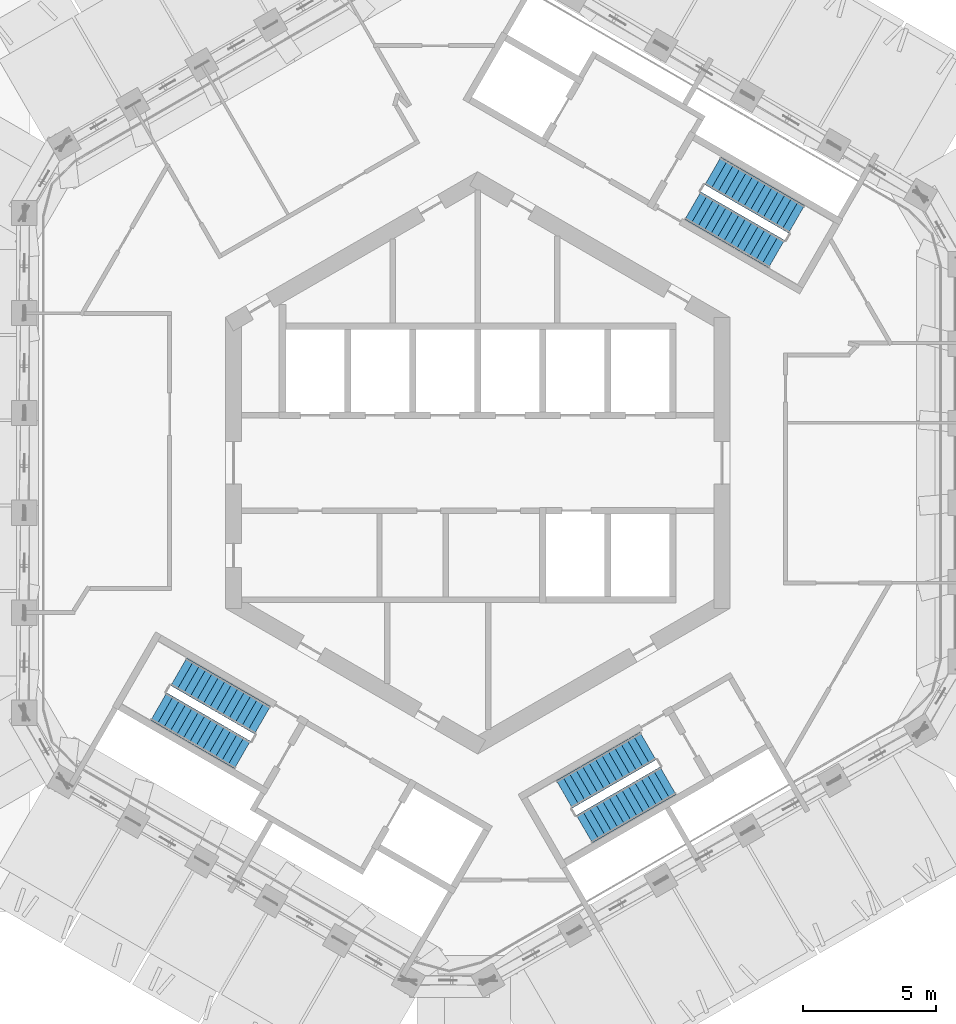
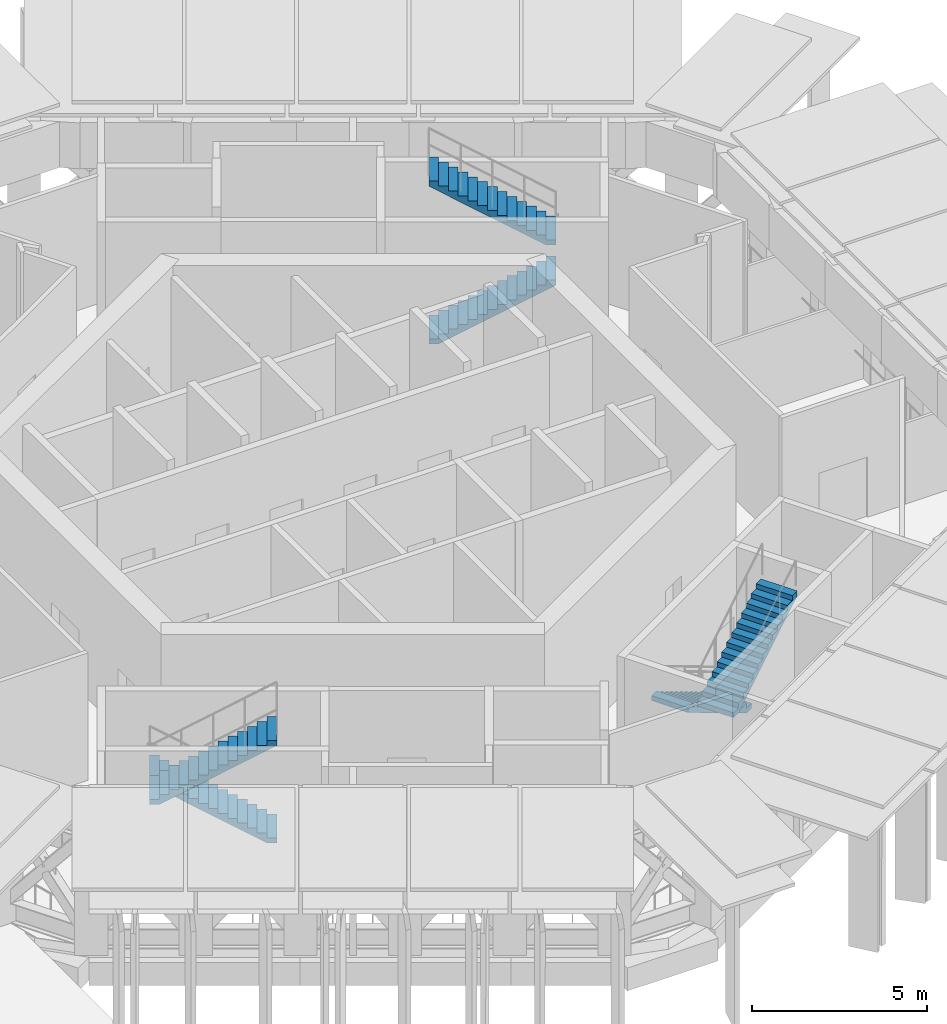
# One storey, part 12 of 15: 6 stair flights, 3 elements without a shape of their own.
"""IFC4 building model written with IfcOpenShell, lengths in metres."""

from ifc_helpers import new_model, si_unit, direction, frame, origin, place, context, subcontext, project, spatial, triangles, material, type_object, element, aggregate, save


model = new_model("IFC4")

# Units and contexts
model_context = context("Model", 3, precision=1e-05, world=origin(), true_north=direction((0.0, 1.0)))
body_context = subcontext(model_context, "Body", "Model", "MODEL_VIEW")
ifc_project = project(units=[si_unit("LENGTHUNIT", "METRE"), si_unit("AREAUNIT", "SQUARE_METRE"), si_unit("VOLUMEUNIT", "CUBIC_METRE"), si_unit("PLANEANGLEUNIT", "RADIAN"), si_unit("MASSUNIT", "GRAM", prefix="KILO")], contexts=[model_context])

# Site, building, storey
site_placement = place(None, origin())
site = spatial("IfcSite", under=ifc_project, at=site_placement, CompositionType="ELEMENT")
building_placement = place(site_placement, origin())
building = spatial("IfcBuilding", under=site, at=building_placement, Name="Ayvan Gate Tower", CompositionType="ELEMENT")
storey_placement = place(building_placement, frame((0.0, 0.0, 214.10009765625)))
storey = spatial("IfcBuildingStorey", under=building, at=storey_placement, Name="L57", CompositionType="ELEMENT", Elevation=214.10009765625)

# Stair, stair flights
ifc_material = material(Name="Concrete C40/50", Category="concrete")
stair_type = type_object("IfcStairType", Name="ST-EXIT", PredefinedType="HALF_TURN_STAIR", material=ifc_material)
stair_1_placement = place(storey_placement, origin())
stair_1 = element("IfcStair", 1, at=stair_1_placement, inside=storey, type_object=stair_type, Name="L57 Exit Stair S1", PredefinedType="HALF_TURN_STAIR")
stair_flight_type = type_object("IfcStairFlightType", Name="SFL-EXIT", PredefinedType="STRAIGHT", material=ifc_material)
stair_flight_1_placement = place(storey_placement, frame((8.106201171875, 9.690185546875, 0.0), z_axis=(0.0, 0.0, 1.0), x_axis=(0.866025403784, -0.5, 0.0)))
stair_flight_1 = element("IfcStairFlight", 2, at=stair_flight_1_placement, type_object=stair_flight_type, Name="STS1 flight 1", NumberOfRisers=14, NumberOfTreads=13, PredefinedType="STRAIGHT", RiserHeight=0.171428571, TreadLength=0.28, context=body_context, shape_type="Tessellation", body=[
    triangles([(0.287085, -0.599976, 0.0), (3.6405, -0.599976, 2.053111), (3.6405, -0.599976, 2.228571), (3.36, -0.599976, 2.228571), (3.36, -0.599976, 2.057143), (3.08, -0.599976, 2.057143), (3.08, -0.599976, 1.885714), (2.8, -0.599976, 1.885714), (2.8, -0.599976, 1.714286), (2.52, -0.599976, 1.714286), (2.52, -0.599976, 1.542857), (2.24, -0.599976, 1.542857), (2.24, -0.599976, 1.371429), (1.96, -0.599976, 1.371429), (1.96, -0.599976, 1.2), (1.68, -0.599976, 1.2), (1.68, -0.599976, 1.028571), (1.4, -0.599976, 1.028571), (1.4, -0.599976, 0.857143), (1.12, -0.599976, 0.857143), (1.12, -0.599976, 0.685714), (0.84, -0.599976, 0.685714), (0.84, -0.599976, 0.514286), (0.56, -0.599976, 0.514286), (0.56, -0.599976, 0.342857), (0.28, -0.599976, 0.342857), (0.28, -0.599976, 0.171429), (-0.0005, -0.599976, 0.171429), (-0.0005, -0.599976, 0.0), (0.287085, 0.0, 0.0), (3.6405, 0.0, 2.053111), (3.6405, 0.0, 2.228571), (3.36, 0.0, 2.228571), (3.36, 0.0, 2.057143), (3.08, 0.0, 2.057143), (3.08, 0.0, 1.885714), (2.8, 0.0, 1.885714), (2.8, 0.0, 1.714286), (2.52, 0.0, 1.714286), (2.52, 0.0, 1.542857), (2.24, 0.0, 1.542857), (2.24, 0.0, 1.371429), (1.96, 0.0, 1.371429), (1.96, 0.0, 1.2), (1.68, 0.0, 1.2), (1.68, 0.0, 1.028571), (1.4, 0.0, 1.028571), (1.4, 0.0, 0.857143), (1.12, 0.0, 0.857143), (1.12, 0.0, 0.685714), (0.84, 0.0, 0.685714), (0.84, 0.0, 0.514286), (0.56, 0.0, 0.514286), (0.56, 0.0, 0.342857), (0.28, 0.0, 0.342857), (0.28, 0.0, 0.171429), (-0.0005, 0.0, 0.171429), (-0.0005, 0.0, 0.0), (0.287085, 0.599976, 0.0), (3.6405, 0.599976, 2.053111), (3.6405, 0.599976, 2.228571), (3.36, 0.599976, 2.228571), (3.36, 0.599976, 2.057143), (3.08, 0.599976, 2.057143), (3.08, 0.599976, 1.885714), (2.8, 0.599976, 1.885714), (2.8, 0.599976, 1.714286), (2.52, 0.599976, 1.714286), (2.52, 0.599976, 1.542857), (2.24, 0.599976, 1.542857), (2.24, 0.599976, 1.371429), (1.96, 0.599976, 1.371429), (1.96, 0.599976, 1.2), (1.68, 0.599976, 1.2), (1.68, 0.599976, 1.028571), (1.4, 0.599976, 1.028571), (1.4, 0.599976, 0.857143), (1.12, 0.599976, 0.857143), (1.12, 0.599976, 0.685714), (0.84, 0.599976, 0.685714), (0.84, 0.599976, 0.514286), (0.56, 0.599976, 0.514286), (0.56, 0.599976, 0.342857), (0.28, 0.599976, 0.342857), (0.28, 0.599976, 0.171429), (-0.0005, 0.599976, 0.171429), (-0.0005, 0.599976, 0.0)], [[29, 1, 2], [87, 60, 59], [2, 3, 4], [60, 62, 61], [2, 4, 5], [60, 63, 62], [2, 5, 6], [60, 64, 63], [2, 6, 7], [60, 65, 64], [7, 8, 9], [65, 67, 66], [2, 7, 9], [60, 67, 65], [9, 10, 11], [67, 69, 68], [2, 9, 11], [60, 69, 67], [11, 12, 13], [69, 71, 70], [2, 11, 13], [60, 71, 69], [13, 14, 15], [71, 73, 72], [2, 13, 15], [60, 73, 71], [15, 16, 17], [73, 75, 74], [2, 15, 17], [60, 75, 73], [17, 18, 19], [75, 77, 76], [2, 17, 19], [60, 77, 75], [19, 20, 21], [77, 79, 78], [2, 19, 21], [60, 79, 77], [21, 22, 23], [79, 81, 80], [2, 21, 23], [60, 81, 79], [23, 24, 25], [81, 83, 82], [2, 23, 25], [60, 83, 81], [25, 26, 27], [83, 85, 84], [2, 25, 27], [60, 85, 83], [29, 2, 27], [87, 85, 60], [27, 28, 29], [85, 87, 86], [1, 30, 31], [1, 31, 2], [59, 31, 30], [59, 60, 31], [2, 31, 32], [2, 32, 3], [60, 32, 31], [60, 61, 32], [3, 32, 33], [3, 33, 4], [61, 33, 32], [61, 62, 33], [4, 33, 34], [4, 34, 5], [62, 34, 33], [62, 63, 34], [5, 34, 35], [5, 35, 6], [63, 35, 34], [63, 64, 35], [6, 35, 36], [6, 36, 7], [64, 36, 35], [64, 65, 36], [7, 36, 37], [7, 37, 8], [65, 37, 36], [65, 66, 37], [8, 37, 38], [8, 38, 9], [66, 38, 37], [66, 67, 38], [9, 38, 39], [9, 39, 10], [67, 39, 38], [67, 68, 39], [10, 39, 40], [10, 40, 11], [68, 40, 39], [68, 69, 40], [11, 40, 41], [11, 41, 12], [69, 41, 40], [69, 70, 41], [12, 41, 42], [12, 42, 13], [70, 42, 41], [70, 71, 42], [13, 42, 43], [13, 43, 14], [71, 43, 42], [71, 72, 43], [14, 43, 44], [14, 44, 15], [72, 44, 43], [72, 73, 44], [15, 44, 45], [15, 45, 16], [73, 45, 44], [73, 74, 45], [16, 45, 46], [16, 46, 17], [74, 46, 45], [74, 75, 46], [17, 46, 47], [17, 47, 18], [75, 47, 46], [75, 76, 47], [18, 47, 48], [18, 48, 19], [76, 48, 47], [76, 77, 48], [19, 48, 49], [19, 49, 20], [77, 49, 48], [77, 78, 49], [20, 49, 50], [20, 50, 21], [78, 50, 49], [78, 79, 50], [21, 50, 51], [21, 51, 22], [79, 51, 50], [79, 80, 51], [22, 51, 52], [22, 52, 23], [80, 52, 51], [80, 81, 52], [23, 52, 53], [23, 53, 24], [81, 53, 52], [81, 82, 53], [24, 53, 54], [24, 54, 25], [82, 54, 53], [82, 83, 54], [25, 54, 55], [25, 55, 26], [83, 55, 54], [83, 84, 55], [26, 55, 56], [26, 56, 27], [84, 56, 55], [84, 85, 56], [27, 56, 57], [27, 57, 28], [85, 57, 56], [85, 86, 57], [28, 57, 58], [28, 58, 29], [86, 58, 57], [86, 87, 58], [29, 58, 30], [29, 30, 1], [87, 30, 58], [87, 59, 30]], closed=True),
])
stair_flight_2_placement = place(storey_placement, frame((12.013427734375, 9.177978515625, 2.39990234375), z_axis=(0.0, 0.0, 1.0), x_axis=(-0.866025403784, 0.5, 0.0)))
stair_flight_2 = element("IfcStairFlight", 3, at=stair_flight_2_placement, type_object=stair_flight_type, Name="STS1 flight 2", NumberOfRisers=14, NumberOfTreads=13, PredefinedType="STRAIGHT", RiserHeight=0.171428571, TreadLength=0.28, context=body_context, shape_type="Tessellation", body=[
    triangles([(0.287085, -0.599976, 0.0), (3.6405, -0.599976, 2.053111), (3.6405, -0.599976, 2.228571), (3.36, -0.599976, 2.228571), (3.36, -0.599976, 2.057143), (3.08, -0.599976, 2.057143), (3.08, -0.599976, 1.885714), (2.8, -0.599976, 1.885714), (2.8, -0.599976, 1.714286), (2.52, -0.599976, 1.714286), (2.52, -0.599976, 1.542857), (2.24, -0.599976, 1.542857), (2.24, -0.599976, 1.371429), (1.96, -0.599976, 1.371429), (1.96, -0.599976, 1.2), (1.68, -0.599976, 1.2), (1.68, -0.599976, 1.028571), (1.4, -0.599976, 1.028571), (1.4, -0.599976, 0.857143), (1.12, -0.599976, 0.857143), (1.12, -0.599976, 0.685714), (0.84, -0.599976, 0.685714), (0.84, -0.599976, 0.514286), (0.56, -0.599976, 0.514286), (0.56, -0.599976, 0.342857), (0.28, -0.599976, 0.342857), (0.28, -0.599976, 0.171429), (-0.0005, -0.599976, 0.171429), (-0.0005, -0.599976, 0.0), (0.287085, 0.0, 0.0), (3.6405, 0.0, 2.053111), (3.6405, 0.0, 2.228571), (3.36, 0.0, 2.228571), (3.36, 0.0, 2.057143), (3.08, 0.0, 2.057143), (3.08, 0.0, 1.885714), (2.8, 0.0, 1.885714), (2.8, 0.0, 1.714286), (2.52, 0.0, 1.714286), (2.52, 0.0, 1.542857), (2.24, 0.0, 1.542857), (2.24, 0.0, 1.371429), (1.96, 0.0, 1.371429), (1.96, 0.0, 1.2), (1.68, 0.0, 1.2), (1.68, 0.0, 1.028571), (1.4, 0.0, 1.028571), (1.4, 0.0, 0.857143), (1.12, 0.0, 0.857143), (1.12, 0.0, 0.685714), (0.84, 0.0, 0.685714), (0.84, 0.0, 0.514286), (0.56, 0.0, 0.514286), (0.56, 0.0, 0.342857), (0.28, 0.0, 0.342857), (0.28, 0.0, 0.171429), (-0.0005, 0.0, 0.171429), (-0.0005, 0.0, 0.0), (0.287085, 0.599976, 0.0), (3.6405, 0.599976, 2.053111), (3.6405, 0.599976, 2.228571), (3.36, 0.599976, 2.228571), (3.36, 0.599976, 2.057143), (3.08, 0.599976, 2.057143), (3.08, 0.599976, 1.885714), (2.8, 0.599976, 1.885714), (2.8, 0.599976, 1.714286), (2.52, 0.599976, 1.714286), (2.52, 0.599976, 1.542857), (2.24, 0.599976, 1.542857), (2.24, 0.599976, 1.371429), (1.96, 0.599976, 1.371429), (1.96, 0.599976, 1.2), (1.68, 0.599976, 1.2), (1.68, 0.599976, 1.028571), (1.4, 0.599976, 1.028571), (1.4, 0.599976, 0.857143), (1.12, 0.599976, 0.857143), (1.12, 0.599976, 0.685714), (0.84, 0.599976, 0.685714), (0.84, 0.599976, 0.514286), (0.56, 0.599976, 0.514286), (0.56, 0.599976, 0.342857), (0.28, 0.599976, 0.342857), (0.28, 0.599976, 0.171429), (-0.0005, 0.599976, 0.171429), (-0.0005, 0.599976, 0.0)], [[29, 1, 2], [87, 60, 59], [2, 3, 4], [60, 62, 61], [2, 4, 5], [60, 63, 62], [2, 5, 6], [60, 64, 63], [2, 6, 7], [60, 65, 64], [7, 8, 9], [65, 67, 66], [2, 7, 9], [60, 67, 65], [9, 10, 11], [67, 69, 68], [2, 9, 11], [60, 69, 67], [11, 12, 13], [69, 71, 70], [2, 11, 13], [60, 71, 69], [13, 14, 15], [71, 73, 72], [2, 13, 15], [60, 73, 71], [15, 16, 17], [73, 75, 74], [2, 15, 17], [60, 75, 73], [17, 18, 19], [75, 77, 76], [2, 17, 19], [60, 77, 75], [19, 20, 21], [77, 79, 78], [2, 19, 21], [60, 79, 77], [21, 22, 23], [79, 81, 80], [2, 21, 23], [60, 81, 79], [23, 24, 25], [81, 83, 82], [2, 23, 25], [60, 83, 81], [25, 26, 27], [83, 85, 84], [2, 25, 27], [60, 85, 83], [29, 2, 27], [87, 85, 60], [27, 28, 29], [85, 87, 86], [1, 30, 31], [1, 31, 2], [59, 31, 30], [59, 60, 31], [2, 31, 32], [2, 32, 3], [60, 32, 31], [60, 61, 32], [3, 32, 33], [3, 33, 4], [61, 33, 32], [61, 62, 33], [4, 33, 34], [4, 34, 5], [62, 34, 33], [62, 63, 34], [5, 34, 35], [5, 35, 6], [63, 35, 34], [63, 64, 35], [6, 35, 36], [6, 36, 7], [64, 36, 35], [64, 65, 36], [7, 36, 37], [7, 37, 8], [65, 37, 36], [65, 66, 37], [8, 37, 38], [8, 38, 9], [66, 38, 37], [66, 67, 38], [9, 38, 39], [9, 39, 10], [67, 39, 38], [67, 68, 39], [10, 39, 40], [10, 40, 11], [68, 40, 39], [68, 69, 40], [11, 40, 41], [11, 41, 12], [69, 41, 40], [69, 70, 41], [12, 41, 42], [12, 42, 13], [70, 42, 41], [70, 71, 42], [13, 42, 43], [13, 43, 14], [71, 43, 42], [71, 72, 43], [14, 43, 44], [14, 44, 15], [72, 44, 43], [72, 73, 44], [15, 44, 45], [15, 45, 16], [73, 45, 44], [73, 74, 45], [16, 45, 46], [16, 46, 17], [74, 46, 45], [74, 75, 46], [17, 46, 47], [17, 47, 18], [75, 47, 46], [75, 76, 47], [18, 47, 48], [18, 48, 19], [76, 48, 47], [76, 77, 48], [19, 48, 49], [19, 49, 20], [77, 49, 48], [77, 78, 49], [20, 49, 50], [20, 50, 21], [78, 50, 49], [78, 79, 50], [21, 50, 51], [21, 51, 22], [79, 51, 50], [79, 80, 51], [22, 51, 52], [22, 52, 23], [80, 52, 51], [80, 81, 52], [23, 52, 53], [23, 53, 24], [81, 53, 52], [81, 82, 53], [24, 53, 54], [24, 54, 25], [82, 54, 53], [82, 83, 54], [25, 54, 55], [25, 55, 26], [83, 55, 54], [83, 84, 55], [26, 55, 56], [26, 56, 27], [84, 56, 55], [84, 85, 56], [27, 56, 57], [27, 57, 28], [85, 57, 56], [85, 86, 57], [28, 57, 58], [28, 58, 29], [86, 58, 57], [86, 87, 58], [29, 58, 30], [29, 30, 1], [87, 30, 58], [87, 59, 30]], closed=True),
])
aggregate(stair_1, [stair_flight_1, stair_flight_2])

stair_2_placement = place(storey_placement, origin())
stair_2 = element("IfcStair", 4, at=stair_2_placement, inside=storey, type_object=stair_type, Name="L57 Exit Stair S2", PredefinedType="HALF_TURN_STAIR")
stair_flight_3_placement = place(storey_placement, frame((-8.106201171875, -9.690185546875, 0.0), z_axis=(0.0, 0.0, 1.0), x_axis=(-0.866025403784, 0.5, 0.0)))
stair_flight_3 = element("IfcStairFlight", 5, at=stair_flight_3_placement, type_object=stair_flight_type, Name="STS2 flight 1", NumberOfRisers=14, NumberOfTreads=13, PredefinedType="STRAIGHT", RiserHeight=0.171428571, TreadLength=0.28, context=body_context, shape_type="Tessellation", body=[
    triangles([(0.287085, -0.599976, 0.0), (3.6405, -0.599976, 2.053111), (3.6405, -0.599976, 2.228571), (3.36, -0.599976, 2.228571), (3.36, -0.599976, 2.057143), (3.08, -0.599976, 2.057143), (3.08, -0.599976, 1.885714), (2.8, -0.599976, 1.885714), (2.8, -0.599976, 1.714286), (2.52, -0.599976, 1.714286), (2.52, -0.599976, 1.542857), (2.24, -0.599976, 1.542857), (2.24, -0.599976, 1.371429), (1.96, -0.599976, 1.371429), (1.96, -0.599976, 1.2), (1.68, -0.599976, 1.2), (1.68, -0.599976, 1.028571), (1.4, -0.599976, 1.028571), (1.4, -0.599976, 0.857143), (1.12, -0.599976, 0.857143), (1.12, -0.599976, 0.685714), (0.84, -0.599976, 0.685714), (0.84, -0.599976, 0.514286), (0.56, -0.599976, 0.514286), (0.56, -0.599976, 0.342857), (0.28, -0.599976, 0.342857), (0.28, -0.599976, 0.171429), (-0.0005, -0.599976, 0.171429), (-0.0005, -0.599976, 0.0), (0.287085, 0.0, 0.0), (3.6405, 0.0, 2.053111), (3.6405, 0.0, 2.228571), (3.36, 0.0, 2.228571), (3.36, 0.0, 2.057143), (3.08, 0.0, 2.057143), (3.08, 0.0, 1.885714), (2.8, 0.0, 1.885714), (2.8, 0.0, 1.714286), (2.52, 0.0, 1.714286), (2.52, 0.0, 1.542857), (2.24, 0.0, 1.542857), (2.24, 0.0, 1.371429), (1.96, 0.0, 1.371429), (1.96, 0.0, 1.2), (1.68, 0.0, 1.2), (1.68, 0.0, 1.028571), (1.4, 0.0, 1.028571), (1.4, 0.0, 0.857143), (1.12, 0.0, 0.857143), (1.12, 0.0, 0.685714), (0.84, 0.0, 0.685714), (0.84, 0.0, 0.514286), (0.56, 0.0, 0.514286), (0.56, 0.0, 0.342857), (0.28, 0.0, 0.342857), (0.28, 0.0, 0.171429), (-0.0005, 0.0, 0.171429), (-0.0005, 0.0, 0.0), (0.287085, 0.599976, 0.0), (3.6405, 0.599976, 2.053111), (3.6405, 0.599976, 2.228571), (3.36, 0.599976, 2.228571), (3.36, 0.599976, 2.057143), (3.08, 0.599976, 2.057143), (3.08, 0.599976, 1.885714), (2.8, 0.599976, 1.885714), (2.8, 0.599976, 1.714286), (2.52, 0.599976, 1.714286), (2.52, 0.599976, 1.542857), (2.24, 0.599976, 1.542857), (2.24, 0.599976, 1.371429), (1.96, 0.599976, 1.371429), (1.96, 0.599976, 1.2), (1.68, 0.599976, 1.2), (1.68, 0.599976, 1.028571), (1.4, 0.599976, 1.028571), (1.4, 0.599976, 0.857143), (1.12, 0.599976, 0.857143), (1.12, 0.599976, 0.685714), (0.84, 0.599976, 0.685714), (0.84, 0.599976, 0.514286), (0.56, 0.599976, 0.514286), (0.56, 0.599976, 0.342857), (0.28, 0.599976, 0.342857), (0.28, 0.599976, 0.171429), (-0.0005, 0.599976, 0.171429), (-0.0005, 0.599976, 0.0)], [[29, 1, 2], [87, 60, 59], [2, 3, 4], [60, 62, 61], [2, 4, 5], [60, 63, 62], [2, 5, 6], [60, 64, 63], [2, 6, 7], [60, 65, 64], [7, 8, 9], [65, 67, 66], [2, 7, 9], [60, 67, 65], [9, 10, 11], [67, 69, 68], [2, 9, 11], [60, 69, 67], [11, 12, 13], [69, 71, 70], [2, 11, 13], [60, 71, 69], [13, 14, 15], [71, 73, 72], [2, 13, 15], [60, 73, 71], [15, 16, 17], [73, 75, 74], [2, 15, 17], [60, 75, 73], [17, 18, 19], [75, 77, 76], [2, 17, 19], [60, 77, 75], [19, 20, 21], [77, 79, 78], [2, 19, 21], [60, 79, 77], [21, 22, 23], [79, 81, 80], [2, 21, 23], [60, 81, 79], [23, 24, 25], [81, 83, 82], [2, 23, 25], [60, 83, 81], [25, 26, 27], [83, 85, 84], [2, 25, 27], [60, 85, 83], [29, 2, 27], [87, 85, 60], [27, 28, 29], [85, 87, 86], [1, 30, 31], [1, 31, 2], [59, 31, 30], [59, 60, 31], [2, 31, 32], [2, 32, 3], [60, 32, 31], [60, 61, 32], [3, 32, 33], [3, 33, 4], [61, 33, 32], [61, 62, 33], [4, 33, 34], [4, 34, 5], [62, 34, 33], [62, 63, 34], [5, 34, 35], [5, 35, 6], [63, 35, 34], [63, 64, 35], [6, 35, 36], [6, 36, 7], [64, 36, 35], [64, 65, 36], [7, 36, 37], [7, 37, 8], [65, 37, 36], [65, 66, 37], [8, 37, 38], [8, 38, 9], [66, 38, 37], [66, 67, 38], [9, 38, 39], [9, 39, 10], [67, 39, 38], [67, 68, 39], [10, 39, 40], [10, 40, 11], [68, 40, 39], [68, 69, 40], [11, 40, 41], [11, 41, 12], [69, 41, 40], [69, 70, 41], [12, 41, 42], [12, 42, 13], [70, 42, 41], [70, 71, 42], [13, 42, 43], [13, 43, 14], [71, 43, 42], [71, 72, 43], [14, 43, 44], [14, 44, 15], [72, 44, 43], [72, 73, 44], [15, 44, 45], [15, 45, 16], [73, 45, 44], [73, 74, 45], [16, 45, 46], [16, 46, 17], [74, 46, 45], [74, 75, 46], [17, 46, 47], [17, 47, 18], [75, 47, 46], [75, 76, 47], [18, 47, 48], [18, 48, 19], [76, 48, 47], [76, 77, 48], [19, 48, 49], [19, 49, 20], [77, 49, 48], [77, 78, 49], [20, 49, 50], [20, 50, 21], [78, 50, 49], [78, 79, 50], [21, 50, 51], [21, 51, 22], [79, 51, 50], [79, 80, 51], [22, 51, 52], [22, 52, 23], [80, 52, 51], [80, 81, 52], [23, 52, 53], [23, 53, 24], [81, 53, 52], [81, 82, 53], [24, 53, 54], [24, 54, 25], [82, 54, 53], [82, 83, 54], [25, 54, 55], [25, 55, 26], [83, 55, 54], [83, 84, 55], [26, 55, 56], [26, 56, 27], [84, 56, 55], [84, 85, 56], [27, 56, 57], [27, 57, 28], [85, 57, 56], [85, 86, 57], [28, 57, 58], [28, 58, 29], [86, 58, 57], [86, 87, 58], [29, 58, 30], [29, 30, 1], [87, 30, 58], [87, 59, 30]], closed=True),
])
stair_flight_4_placement = place(storey_placement, frame((-12.013427734375, -9.177978515625, 2.39990234375), z_axis=(0.0, 0.0, 1.0), x_axis=(0.866025403784, -0.5, 0.0)))
stair_flight_4 = element("IfcStairFlight", 6, at=stair_flight_4_placement, type_object=stair_flight_type, Name="STS2 flight 2", NumberOfRisers=14, NumberOfTreads=13, PredefinedType="STRAIGHT", RiserHeight=0.171428571, TreadLength=0.28, context=body_context, shape_type="Tessellation", body=[
    triangles([(0.287085, -0.599976, 0.0), (3.6405, -0.599976, 2.053111), (3.6405, -0.599976, 2.228571), (3.36, -0.599976, 2.228571), (3.36, -0.599976, 2.057143), (3.08, -0.599976, 2.057143), (3.08, -0.599976, 1.885714), (2.8, -0.599976, 1.885714), (2.8, -0.599976, 1.714286), (2.52, -0.599976, 1.714286), (2.52, -0.599976, 1.542857), (2.24, -0.599976, 1.542857), (2.24, -0.599976, 1.371429), (1.96, -0.599976, 1.371429), (1.96, -0.599976, 1.2), (1.68, -0.599976, 1.2), (1.68, -0.599976, 1.028571), (1.4, -0.599976, 1.028571), (1.4, -0.599976, 0.857143), (1.12, -0.599976, 0.857143), (1.12, -0.599976, 0.685714), (0.84, -0.599976, 0.685714), (0.84, -0.599976, 0.514286), (0.56, -0.599976, 0.514286), (0.56, -0.599976, 0.342857), (0.28, -0.599976, 0.342857), (0.28, -0.599976, 0.171429), (-0.0005, -0.599976, 0.171429), (-0.0005, -0.599976, 0.0), (0.287085, 0.0, 0.0), (3.6405, 0.0, 2.053111), (3.6405, 0.0, 2.228571), (3.36, 0.0, 2.228571), (3.36, 0.0, 2.057143), (3.08, 0.0, 2.057143), (3.08, 0.0, 1.885714), (2.8, 0.0, 1.885714), (2.8, 0.0, 1.714286), (2.52, 0.0, 1.714286), (2.52, 0.0, 1.542857), (2.24, 0.0, 1.542857), (2.24, 0.0, 1.371429), (1.96, 0.0, 1.371429), (1.96, 0.0, 1.2), (1.68, 0.0, 1.2), (1.68, 0.0, 1.028571), (1.4, 0.0, 1.028571), (1.4, 0.0, 0.857143), (1.12, 0.0, 0.857143), (1.12, 0.0, 0.685714), (0.84, 0.0, 0.685714), (0.84, 0.0, 0.514286), (0.56, 0.0, 0.514286), (0.56, 0.0, 0.342857), (0.28, 0.0, 0.342857), (0.28, 0.0, 0.171429), (-0.0005, 0.0, 0.171429), (-0.0005, 0.0, 0.0), (0.287085, 0.599976, 0.0), (3.6405, 0.599976, 2.053111), (3.6405, 0.599976, 2.228571), (3.36, 0.599976, 2.228571), (3.36, 0.599976, 2.057143), (3.08, 0.599976, 2.057143), (3.08, 0.599976, 1.885714), (2.8, 0.599976, 1.885714), (2.8, 0.599976, 1.714286), (2.52, 0.599976, 1.714286), (2.52, 0.599976, 1.542857), (2.24, 0.599976, 1.542857), (2.24, 0.599976, 1.371429), (1.96, 0.599976, 1.371429), (1.96, 0.599976, 1.2), (1.68, 0.599976, 1.2), (1.68, 0.599976, 1.028571), (1.4, 0.599976, 1.028571), (1.4, 0.599976, 0.857143), (1.12, 0.599976, 0.857143), (1.12, 0.599976, 0.685714), (0.84, 0.599976, 0.685714), (0.84, 0.599976, 0.514286), (0.56, 0.599976, 0.514286), (0.56, 0.599976, 0.342857), (0.28, 0.599976, 0.342857), (0.28, 0.599976, 0.171429), (-0.0005, 0.599976, 0.171429), (-0.0005, 0.599976, 0.0)], [[29, 1, 2], [87, 60, 59], [2, 3, 4], [60, 62, 61], [2, 4, 5], [60, 63, 62], [2, 5, 6], [60, 64, 63], [2, 6, 7], [60, 65, 64], [7, 8, 9], [65, 67, 66], [2, 7, 9], [60, 67, 65], [9, 10, 11], [67, 69, 68], [2, 9, 11], [60, 69, 67], [11, 12, 13], [69, 71, 70], [2, 11, 13], [60, 71, 69], [13, 14, 15], [71, 73, 72], [2, 13, 15], [60, 73, 71], [15, 16, 17], [73, 75, 74], [2, 15, 17], [60, 75, 73], [17, 18, 19], [75, 77, 76], [2, 17, 19], [60, 77, 75], [19, 20, 21], [77, 79, 78], [2, 19, 21], [60, 79, 77], [21, 22, 23], [79, 81, 80], [2, 21, 23], [60, 81, 79], [23, 24, 25], [81, 83, 82], [2, 23, 25], [60, 83, 81], [25, 26, 27], [83, 85, 84], [2, 25, 27], [60, 85, 83], [29, 2, 27], [87, 85, 60], [27, 28, 29], [85, 87, 86], [1, 30, 31], [1, 31, 2], [59, 31, 30], [59, 60, 31], [2, 31, 32], [2, 32, 3], [60, 32, 31], [60, 61, 32], [3, 32, 33], [3, 33, 4], [61, 33, 32], [61, 62, 33], [4, 33, 34], [4, 34, 5], [62, 34, 33], [62, 63, 34], [5, 34, 35], [5, 35, 6], [63, 35, 34], [63, 64, 35], [6, 35, 36], [6, 36, 7], [64, 36, 35], [64, 65, 36], [7, 36, 37], [7, 37, 8], [65, 37, 36], [65, 66, 37], [8, 37, 38], [8, 38, 9], [66, 38, 37], [66, 67, 38], [9, 38, 39], [9, 39, 10], [67, 39, 38], [67, 68, 39], [10, 39, 40], [10, 40, 11], [68, 40, 39], [68, 69, 40], [11, 40, 41], [11, 41, 12], [69, 41, 40], [69, 70, 41], [12, 41, 42], [12, 42, 13], [70, 42, 41], [70, 71, 42], [13, 42, 43], [13, 43, 14], [71, 43, 42], [71, 72, 43], [14, 43, 44], [14, 44, 15], [72, 44, 43], [72, 73, 44], [15, 44, 45], [15, 45, 16], [73, 45, 44], [73, 74, 45], [16, 45, 46], [16, 46, 17], [74, 46, 45], [74, 75, 46], [17, 46, 47], [17, 47, 18], [75, 47, 46], [75, 76, 47], [18, 47, 48], [18, 48, 19], [76, 48, 47], [76, 77, 48], [19, 48, 49], [19, 49, 20], [77, 49, 48], [77, 78, 49], [20, 49, 50], [20, 50, 21], [78, 50, 49], [78, 79, 50], [21, 50, 51], [21, 51, 22], [79, 51, 50], [79, 80, 51], [22, 51, 52], [22, 52, 23], [80, 52, 51], [80, 81, 52], [23, 52, 53], [23, 53, 24], [81, 53, 52], [81, 82, 53], [24, 53, 54], [24, 54, 25], [82, 54, 53], [82, 83, 54], [25, 54, 55], [25, 55, 26], [83, 55, 54], [83, 84, 55], [26, 55, 56], [26, 56, 27], [84, 56, 55], [84, 85, 56], [27, 56, 57], [27, 57, 28], [85, 57, 56], [85, 86, 57], [28, 57, 58], [28, 58, 29], [86, 58, 57], [86, 87, 58], [29, 58, 30], [29, 30, 1], [87, 30, 58], [87, 59, 30]], closed=True),
])
aggregate(stair_2, [stair_flight_3, stair_flight_4])

stair_3_placement = place(storey_placement, origin())
stair_3 = element("IfcStair", 7, at=stair_3_placement, inside=storey, type_object=stair_type, Name="L57 Exit Stair S3", PredefinedType="HALF_TURN_STAIR")
stair_flight_5_placement = place(storey_placement, frame((6.417236328125, -10.665283203125, 0.0), z_axis=(0.0, 0.0, 1.0), x_axis=(-0.866025403784, -0.5, 0.0)))
stair_flight_5 = element("IfcStairFlight", 8, at=stair_flight_5_placement, type_object=stair_flight_type, Name="STS3 flight 1", NumberOfRisers=14, NumberOfTreads=13, PredefinedType="STRAIGHT", RiserHeight=0.171428571, TreadLength=0.28, context=body_context, shape_type="Tessellation", body=[
    triangles([(0.287085, -0.599976, 0.0), (3.6405, -0.599976, 2.053111), (3.6405, -0.599976, 2.228571), (3.36, -0.599976, 2.228571), (3.36, -0.599976, 2.057143), (3.08, -0.599976, 2.057143), (3.08, -0.599976, 1.885714), (2.8, -0.599976, 1.885714), (2.8, -0.599976, 1.714286), (2.52, -0.599976, 1.714286), (2.52, -0.599976, 1.542857), (2.24, -0.599976, 1.542857), (2.24, -0.599976, 1.371429), (1.96, -0.599976, 1.371429), (1.96, -0.599976, 1.2), (1.68, -0.599976, 1.2), (1.68, -0.599976, 1.028571), (1.4, -0.599976, 1.028571), (1.4, -0.599976, 0.857143), (1.12, -0.599976, 0.857143), (1.12, -0.599976, 0.685714), (0.84, -0.599976, 0.685714), (0.84, -0.599976, 0.514286), (0.56, -0.599976, 0.514286), (0.56, -0.599976, 0.342857), (0.28, -0.599976, 0.342857), (0.28, -0.599976, 0.171429), (-0.0005, -0.599976, 0.171429), (-0.0005, -0.599976, 0.0), (0.287085, 0.0, 0.0), (3.6405, 0.0, 2.053111), (3.6405, 0.0, 2.228571), (3.36, 0.0, 2.228571), (3.36, 0.0, 2.057143), (3.08, 0.0, 2.057143), (3.08, 0.0, 1.885714), (2.8, 0.0, 1.885714), (2.8, 0.0, 1.714286), (2.52, 0.0, 1.714286), (2.52, 0.0, 1.542857), (2.24, 0.0, 1.542857), (2.24, 0.0, 1.371429), (1.96, 0.0, 1.371429), (1.96, 0.0, 1.2), (1.68, 0.0, 1.2), (1.68, 0.0, 1.028571), (1.4, 0.0, 1.028571), (1.4, 0.0, 0.857143), (1.12, 0.0, 0.857143), (1.12, 0.0, 0.685714), (0.84, 0.0, 0.685714), (0.84, 0.0, 0.514286), (0.56, 0.0, 0.514286), (0.56, 0.0, 0.342857), (0.28, 0.0, 0.342857), (0.28, 0.0, 0.171429), (-0.0005, 0.0, 0.171429), (-0.0005, 0.0, 0.0), (0.287085, 0.599976, 0.0), (3.6405, 0.599976, 2.053111), (3.6405, 0.599976, 2.228571), (3.36, 0.599976, 2.228571), (3.36, 0.599976, 2.057143), (3.08, 0.599976, 2.057143), (3.08, 0.599976, 1.885714), (2.8, 0.599976, 1.885714), (2.8, 0.599976, 1.714286), (2.52, 0.599976, 1.714286), (2.52, 0.599976, 1.542857), (2.24, 0.599976, 1.542857), (2.24, 0.599976, 1.371429), (1.96, 0.599976, 1.371429), (1.96, 0.599976, 1.2), (1.68, 0.599976, 1.2), (1.68, 0.599976, 1.028571), (1.4, 0.599976, 1.028571), (1.4, 0.599976, 0.857143), (1.12, 0.599976, 0.857143), (1.12, 0.599976, 0.685714), (0.84, 0.599976, 0.685714), (0.84, 0.599976, 0.514286), (0.56, 0.599976, 0.514286), (0.56, 0.599976, 0.342857), (0.28, 0.599976, 0.342857), (0.28, 0.599976, 0.171429), (-0.0005, 0.599976, 0.171429), (-0.0005, 0.599976, 0.0)], [[29, 1, 2], [87, 60, 59], [2, 3, 4], [60, 62, 61], [2, 4, 5], [60, 63, 62], [2, 5, 6], [60, 64, 63], [2, 6, 7], [60, 65, 64], [7, 8, 9], [65, 67, 66], [2, 7, 9], [60, 67, 65], [9, 10, 11], [67, 69, 68], [2, 9, 11], [60, 69, 67], [11, 12, 13], [69, 71, 70], [2, 11, 13], [60, 71, 69], [13, 14, 15], [71, 73, 72], [2, 13, 15], [60, 73, 71], [15, 16, 17], [73, 75, 74], [2, 15, 17], [60, 75, 73], [17, 18, 19], [75, 77, 76], [2, 17, 19], [60, 77, 75], [19, 20, 21], [77, 79, 78], [2, 19, 21], [60, 79, 77], [21, 22, 23], [79, 81, 80], [2, 21, 23], [60, 81, 79], [23, 24, 25], [81, 83, 82], [2, 23, 25], [60, 83, 81], [25, 26, 27], [83, 85, 84], [2, 25, 27], [60, 85, 83], [29, 2, 27], [87, 85, 60], [27, 28, 29], [85, 87, 86], [1, 30, 31], [1, 31, 2], [59, 31, 30], [59, 60, 31], [2, 31, 32], [2, 32, 3], [60, 32, 31], [60, 61, 32], [3, 32, 33], [3, 33, 4], [61, 33, 32], [61, 62, 33], [4, 33, 34], [4, 34, 5], [62, 34, 33], [62, 63, 34], [5, 34, 35], [5, 35, 6], [63, 35, 34], [63, 64, 35], [6, 35, 36], [6, 36, 7], [64, 36, 35], [64, 65, 36], [7, 36, 37], [7, 37, 8], [65, 37, 36], [65, 66, 37], [8, 37, 38], [8, 38, 9], [66, 38, 37], [66, 67, 38], [9, 38, 39], [9, 39, 10], [67, 39, 38], [67, 68, 39], [10, 39, 40], [10, 40, 11], [68, 40, 39], [68, 69, 40], [11, 40, 41], [11, 41, 12], [69, 41, 40], [69, 70, 41], [12, 41, 42], [12, 42, 13], [70, 42, 41], [70, 71, 42], [13, 42, 43], [13, 43, 14], [71, 43, 42], [71, 72, 43], [14, 43, 44], [14, 44, 15], [72, 44, 43], [72, 73, 44], [15, 44, 45], [15, 45, 16], [73, 45, 44], [73, 74, 45], [16, 45, 46], [16, 46, 17], [74, 46, 45], [74, 75, 46], [17, 46, 47], [17, 47, 18], [75, 47, 46], [75, 76, 47], [18, 47, 48], [18, 48, 19], [76, 48, 47], [76, 77, 48], [19, 48, 49], [19, 49, 20], [77, 49, 48], [77, 78, 49], [20, 49, 50], [20, 50, 21], [78, 50, 49], [78, 79, 50], [21, 50, 51], [21, 51, 22], [79, 51, 50], [79, 80, 51], [22, 51, 52], [22, 52, 23], [80, 52, 51], [80, 81, 52], [23, 52, 53], [23, 53, 24], [81, 53, 52], [81, 82, 53], [24, 53, 54], [24, 54, 25], [82, 54, 53], [82, 83, 54], [25, 54, 55], [25, 55, 26], [83, 55, 54], [83, 84, 55], [26, 55, 56], [26, 56, 27], [84, 56, 55], [84, 85, 56], [27, 56, 57], [27, 57, 28], [85, 57, 56], [85, 86, 57], [28, 57, 58], [28, 58, 29], [86, 58, 57], [86, 87, 58], [29, 58, 30], [29, 30, 1], [87, 30, 58], [87, 59, 30]], closed=True),
])
stair_flight_6_placement = place(storey_placement, frame((4.02001953125, -13.79296875, 2.39990234375), z_axis=(0.0, 0.0, 1.0), x_axis=(0.866025403784, 0.5, 0.0)))
stair_flight_6 = element("IfcStairFlight", 9, at=stair_flight_6_placement, type_object=stair_flight_type, Name="STS3 flight 2", NumberOfRisers=14, NumberOfTreads=13, PredefinedType="STRAIGHT", RiserHeight=0.171428571, TreadLength=0.28, context=body_context, shape_type="Tessellation", body=[
    triangles([(0.287085, -0.599976, 0.0), (3.6405, -0.599976, 2.053111), (3.6405, -0.599976, 2.228571), (3.36, -0.599976, 2.228571), (3.36, -0.599976, 2.057143), (3.08, -0.599976, 2.057143), (3.08, -0.599976, 1.885714), (2.8, -0.599976, 1.885714), (2.8, -0.599976, 1.714286), (2.52, -0.599976, 1.714286), (2.52, -0.599976, 1.542857), (2.24, -0.599976, 1.542857), (2.24, -0.599976, 1.371429), (1.96, -0.599976, 1.371429), (1.96, -0.599976, 1.2), (1.68, -0.599976, 1.2), (1.68, -0.599976, 1.028571), (1.4, -0.599976, 1.028571), (1.4, -0.599976, 0.857143), (1.12, -0.599976, 0.857143), (1.12, -0.599976, 0.685714), (0.84, -0.599976, 0.685714), (0.84, -0.599976, 0.514286), (0.56, -0.599976, 0.514286), (0.56, -0.599976, 0.342857), (0.28, -0.599976, 0.342857), (0.28, -0.599976, 0.171429), (-0.0005, -0.599976, 0.171429), (-0.0005, -0.599976, 0.0), (0.287085, 0.0, 0.0), (3.6405, 0.0, 2.053111), (3.6405, 0.0, 2.228571), (3.36, 0.0, 2.228571), (3.36, 0.0, 2.057143), (3.08, 0.0, 2.057143), (3.08, 0.0, 1.885714), (2.8, 0.0, 1.885714), (2.8, 0.0, 1.714286), (2.52, 0.0, 1.714286), (2.52, 0.0, 1.542857), (2.24, 0.0, 1.542857), (2.24, 0.0, 1.371429), (1.96, 0.0, 1.371429), (1.96, 0.0, 1.2), (1.68, 0.0, 1.2), (1.68, 0.0, 1.028571), (1.4, 0.0, 1.028571), (1.4, 0.0, 0.857143), (1.12, 0.0, 0.857143), (1.12, 0.0, 0.685714), (0.84, 0.0, 0.685714), (0.84, 0.0, 0.514286), (0.56, 0.0, 0.514286), (0.56, 0.0, 0.342857), (0.28, 0.0, 0.342857), (0.28, 0.0, 0.171429), (-0.0005, 0.0, 0.171429), (-0.0005, 0.0, 0.0), (0.287085, 0.599976, 0.0), (3.6405, 0.599976, 2.053111), (3.6405, 0.599976, 2.228571), (3.36, 0.599976, 2.228571), (3.36, 0.599976, 2.057143), (3.08, 0.599976, 2.057143), (3.08, 0.599976, 1.885714), (2.8, 0.599976, 1.885714), (2.8, 0.599976, 1.714286), (2.52, 0.599976, 1.714286), (2.52, 0.599976, 1.542857), (2.24, 0.599976, 1.542857), (2.24, 0.599976, 1.371429), (1.96, 0.599976, 1.371429), (1.96, 0.599976, 1.2), (1.68, 0.599976, 1.2), (1.68, 0.599976, 1.028571), (1.4, 0.599976, 1.028571), (1.4, 0.599976, 0.857143), (1.12, 0.599976, 0.857143), (1.12, 0.599976, 0.685714), (0.84, 0.599976, 0.685714), (0.84, 0.599976, 0.514286), (0.56, 0.599976, 0.514286), (0.56, 0.599976, 0.342857), (0.28, 0.599976, 0.342857), (0.28, 0.599976, 0.171429), (-0.0005, 0.599976, 0.171429), (-0.0005, 0.599976, 0.0)], [[29, 1, 2], [87, 60, 59], [2, 3, 4], [60, 62, 61], [2, 4, 5], [60, 63, 62], [2, 5, 6], [60, 64, 63], [2, 6, 7], [60, 65, 64], [7, 8, 9], [65, 67, 66], [2, 7, 9], [60, 67, 65], [9, 10, 11], [67, 69, 68], [2, 9, 11], [60, 69, 67], [11, 12, 13], [69, 71, 70], [2, 11, 13], [60, 71, 69], [13, 14, 15], [71, 73, 72], [2, 13, 15], [60, 73, 71], [15, 16, 17], [73, 75, 74], [2, 15, 17], [60, 75, 73], [17, 18, 19], [75, 77, 76], [2, 17, 19], [60, 77, 75], [19, 20, 21], [77, 79, 78], [2, 19, 21], [60, 79, 77], [21, 22, 23], [79, 81, 80], [2, 21, 23], [60, 81, 79], [23, 24, 25], [81, 83, 82], [2, 23, 25], [60, 83, 81], [25, 26, 27], [83, 85, 84], [2, 25, 27], [60, 85, 83], [29, 2, 27], [87, 85, 60], [27, 28, 29], [85, 87, 86], [1, 30, 31], [1, 31, 2], [59, 31, 30], [59, 60, 31], [2, 31, 32], [2, 32, 3], [60, 32, 31], [60, 61, 32], [3, 32, 33], [3, 33, 4], [61, 33, 32], [61, 62, 33], [4, 33, 34], [4, 34, 5], [62, 34, 33], [62, 63, 34], [5, 34, 35], [5, 35, 6], [63, 35, 34], [63, 64, 35], [6, 35, 36], [6, 36, 7], [64, 36, 35], [64, 65, 36], [7, 36, 37], [7, 37, 8], [65, 37, 36], [65, 66, 37], [8, 37, 38], [8, 38, 9], [66, 38, 37], [66, 67, 38], [9, 38, 39], [9, 39, 10], [67, 39, 38], [67, 68, 39], [10, 39, 40], [10, 40, 11], [68, 40, 39], [68, 69, 40], [11, 40, 41], [11, 41, 12], [69, 41, 40], [69, 70, 41], [12, 41, 42], [12, 42, 13], [70, 42, 41], [70, 71, 42], [13, 42, 43], [13, 43, 14], [71, 43, 42], [71, 72, 43], [14, 43, 44], [14, 44, 15], [72, 44, 43], [72, 73, 44], [15, 44, 45], [15, 45, 16], [73, 45, 44], [73, 74, 45], [16, 45, 46], [16, 46, 17], [74, 46, 45], [74, 75, 46], [17, 46, 47], [17, 47, 18], [75, 47, 46], [75, 76, 47], [18, 47, 48], [18, 48, 19], [76, 48, 47], [76, 77, 48], [19, 48, 49], [19, 49, 20], [77, 49, 48], [77, 78, 49], [20, 49, 50], [20, 50, 21], [78, 50, 49], [78, 79, 50], [21, 50, 51], [21, 51, 22], [79, 51, 50], [79, 80, 51], [22, 51, 52], [22, 52, 23], [80, 52, 51], [80, 81, 52], [23, 52, 53], [23, 53, 24], [81, 53, 52], [81, 82, 53], [24, 53, 54], [24, 54, 25], [82, 54, 53], [82, 83, 54], [25, 54, 55], [25, 55, 26], [83, 55, 54], [83, 84, 55], [26, 55, 56], [26, 56, 27], [84, 56, 55], [84, 85, 56], [27, 56, 57], [27, 57, 28], [85, 57, 56], [85, 86, 57], [28, 57, 58], [28, 58, 29], [86, 58, 57], [86, 87, 58], [29, 58, 30], [29, 30, 1], [87, 30, 58], [87, 59, 30]], closed=True),
])
aggregate(stair_3, [stair_flight_5, stair_flight_6])

save(model, "model.ifc")
